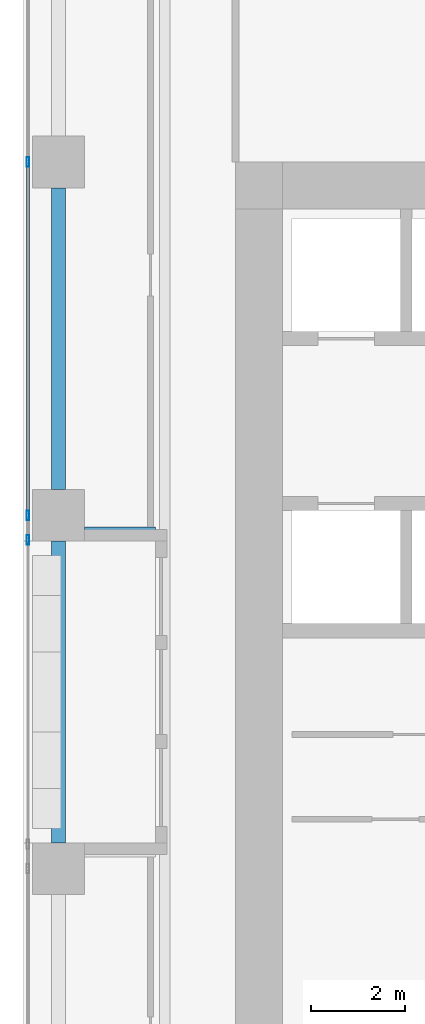
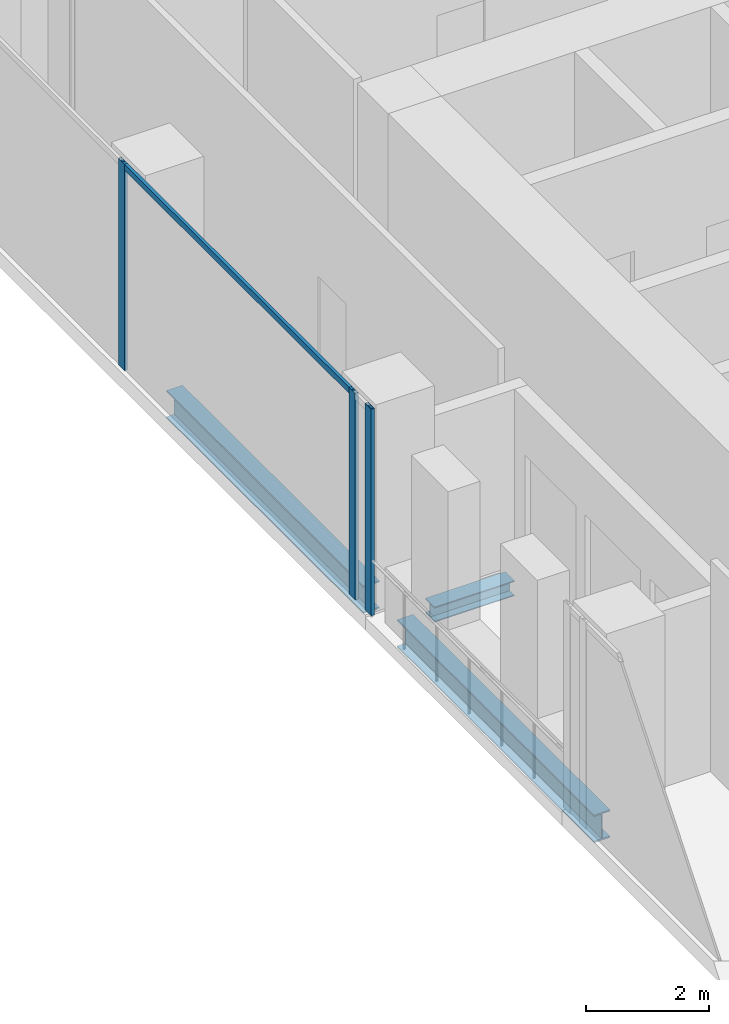
# One storey, part 14 of 35: 4 members, 3 beams, 1 element without a shape of its own.
"""IFC4 building model written with IfcOpenShell, lengths in metres."""

from ifc_helpers import new_model, si_unit, direction, frame, origin, origin_2d, place, context, subcontext, project, spatial, hollow_rectangle, i_section, extrude, source, transform, mapped, material, material_profile, profile_set, type_object, element, aggregate, save


model = new_model("IFC4")

# Units and contexts
model_context = context("Model", 3, precision=1e-05, world=origin(), true_north=direction((0.0, 1.0)))
body_context = subcontext(model_context, "Body", "Model", "MODEL_VIEW")
ifc_project = project(units=[si_unit("LENGTHUNIT", "METRE"), si_unit("AREAUNIT", "SQUARE_METRE"), si_unit("VOLUMEUNIT", "CUBIC_METRE"), si_unit("PLANEANGLEUNIT", "RADIAN"), si_unit("MASSUNIT", "GRAM", prefix="KILO")], contexts=[model_context])

# Site, building, storey
site_placement = place(None, origin())
site = spatial("IfcSite", under=ifc_project, at=site_placement, CompositionType="ELEMENT")
building_placement = place(site_placement, origin())
building = spatial("IfcBuilding", under=site, at=building_placement, Name="Khomas Fold Tower", CompositionType="ELEMENT")
storey_placement = place(building_placement, frame((0.0, 0.0, 136.699951171875)))
storey = spatial("IfcBuildingStorey", under=building, at=storey_placement, Name="L29", CompositionType="ELEMENT", Elevation=136.699951171875)

# Beams
ifc_material_1 = material(Name="Steel S355", Category="steel")
ifc_material_profile_1 = material_profile(ifc_material_1, i_section(OverallWidth=0.300048828125, OverallDepth=0.550048828125, WebThickness=0.014892578125, FlangeThickness=0.029052734375, at=origin_2d()), Name="HE 550 B")
ifc_profile_set_1 = profile_set([ifc_material_profile_1], Name="Steel S355")
beam_type_1 = type_object("IfcBeamType", Name="HE 550 B spandrel SB2", PredefinedType="SPANDREL", material=ifc_profile_set_1)
shared_shape_1 = source(origin(), body_context, "Body", "SweptSolid", [
    extrude(i_section(OverallWidth=0.300048828125, OverallDepth=0.550048828125, WebThickness=0.014892578125, FlangeThickness=0.029052734375, at=origin_2d()), origin(), (0.0, 0.0, 1.0), 6.39990234375),
])
for number, where, z_axis, x_axis, name in (
    (1, (2.25, 35.050048828125, -0.574951171875), (0.0, 1.0, 0.0), (-1.0, 0.0, 0.0), "SB2"),
    (2, (2.25, 27.550048828125, -0.574951171875), (0.0, 1.0, 0.0), (-1.0, 0.0, 0.0), "SB2"),
):
    element("IfcBeam", number, at=place(storey_placement, frame(where, z_axis=z_axis, x_axis=x_axis)), inside=storey, type_object=beam_type_1, Name=name, PredefinedType="SPANDREL", context=body_context, shape_type="MappedRepresentation", body=[
        mapped(shared_shape_1, transform((0.0, 0.0, 0.0))),
    ])
ifc_material_2 = material(Name="Steel S355", Category="steel")
ifc_material_profile_2 = material_profile(ifc_material_2, i_section(OverallWidth=0.300048828125, OverallDepth=0.300048828125, WebThickness=0.010986328125, FlangeThickness=0.01904296875, at=origin_2d()), Name="HE 300 B")
ifc_profile_set_2 = profile_set([ifc_material_profile_2], Name="Steel S355")
beam_type_2 = type_object("IfcBeamType", Name="HE 300 B beam BB1", PredefinedType="BEAM", material=ifc_profile_set_2)
shared_shape_2 = source(origin(), body_context, "Body", "SweptSolid", [
    extrude(i_section(OverallWidth=0.300048828125, OverallDepth=0.300048828125, WebThickness=0.010986328125, FlangeThickness=0.01904296875, at=origin_2d()), origin(), (0.0, 0.0, 1.0), 1.5),
])
beam_placement = place(storey_placement, frame((2.800048828125, 34.10009765625, -0.449951171875), z_axis=(1.0, 0.0, 0.0), x_axis=(0.0, 1.0, 0.0)))
element("IfcBeam", 3, at=beam_placement, inside=storey, type_object=beam_type_2, Name="BB1", PredefinedType="BEAM", context=body_context, shape_type="MappedRepresentation", body=[
    mapped(shared_shape_2, transform((0.0, 0.0, 0.0))),
])

# Curtain wall, members
ifc_material_3 = material(Name="Aluminium framed double glazing", Category="aluminium")
curtain_wall_type = type_object("IfcCurtainWallType", Name="SK-Unitised clear-glass wall, growing floors CW1", PredefinedType="NOTDEFINED", material=ifc_material_3)
curtain_wall_placement = place(storey_placement, origin())
curtain_wall = element("IfcCurtainWall", 4, at=curtain_wall_placement, inside=storey, type_object=curtain_wall_type, Name="CW1 run L29 09-0", PredefinedType="NOTDEFINED")
ifc_material_4 = material(Name="Aluminium", Category="aluminium")
ifc_material_profile_3 = material_profile(ifc_material_4, hollow_rectangle(XDim=0.06005859375, YDim=0.1201171875, WallThickness=0.00390625, at=origin_2d()), Name="SK-Unitised clear-glass wall, growing floors transom CW1-T")
ifc_profile_set_3 = profile_set([ifc_material_profile_3], Name="Aluminium")
member_type_1 = type_object("IfcMemberType", Name="SK-Unitised clear-glass wall, growing floors transom CW1-T", PredefinedType="USERDEFINED", material=ifc_profile_set_3)
shared_shape_3 = source(origin(), body_context, "Body", "SweptSolid", [
    extrude(hollow_rectangle(XDim=0.06005859375, YDim=0.1201171875, WallThickness=0.00390625, at=origin_2d()), origin(), (0.0, 0.0, 1.0), 7.43994140625),
])
member_1_placement = place(storey_placement, frame((1.60009765625, 41.969970703125, 4.0400390625), z_axis=(0.0, -1.0, 0.0), x_axis=(1.0, 0.0, 0.0)))
member_1 = element("IfcMember", 5, at=member_1_placement, type_object=member_type_1, Name="CW1 transom 3", ObjectType="TRANSOM", PredefinedType="USERDEFINED", context=body_context, shape_type="MappedRepresentation", body=[
    mapped(shared_shape_3, transform((0.0, 0.0, 0.0))),
])
ifc_material_5 = material(Name="Aluminium", Category="aluminium")
ifc_material_profile_4 = material_profile(ifc_material_5, hollow_rectangle(XDim=0.06005859375, YDim=0.199951171875, WallThickness=0.00390625, at=origin_2d()), Name="SK-Unitised clear-glass wall, growing floors mullion CW1-M")
ifc_profile_set_4 = profile_set([ifc_material_profile_4], Name="Aluminium")
member_type_2 = type_object("IfcMemberType", Name="SK-Unitised clear-glass wall, growing floors mullion CW1-M", PredefinedType="MULLION", material=ifc_profile_set_4)
shared_shape_4 = source(origin(), body_context, "Body", "SweptSolid", [
    extrude(hollow_rectangle(XDim=0.06005859375, YDim=0.199951171875, WallThickness=0.00390625, at=origin_2d()), origin(), (0.0, 0.0, 1.0), 4.10009765625),
])
member_2_placement = place(storey_placement, frame((1.60009765625, 42.0, 0.0), z_axis=(0.0, 0.0, 1.0), x_axis=(1.0, 0.0, 0.0)))
member_2 = element("IfcMember", 6, at=member_2_placement, type_object=member_type_2, Name="CW1 mullion 3", PredefinedType="MULLION", context=body_context, shape_type="MappedRepresentation", body=[
    mapped(shared_shape_4, transform((0.0, 0.0, 0.0))),
])
member_3_placement = place(storey_placement, frame((1.60009765625, 34.5, 0.0), z_axis=(0.0, 0.0, 1.0), x_axis=(1.0, 0.0, 0.0)))
member_3 = element("IfcMember", 7, at=member_3_placement, type_object=member_type_2, Name="CW1 mullion 4", PredefinedType="MULLION", context=body_context, shape_type="MappedRepresentation", body=[
    mapped(shared_shape_4, transform((0.0, 0.0, 0.0))),
])
member_4_placement = place(storey_placement, frame((1.60009765625, 33.97998046875, 0.0), z_axis=(0.0, 0.0, 1.0), x_axis=(1.0, 0.0, 0.0)))
member_4 = element("IfcMember", 8, at=member_4_placement, type_object=member_type_2, Name="CW1 mullion 5", PredefinedType="MULLION", context=body_context, shape_type="MappedRepresentation", body=[
    mapped(shared_shape_4, transform((0.0, 0.0, 0.0))),
])
aggregate(curtain_wall, [member_2, member_3, member_4, member_1])

save(model, "model.ifc")
